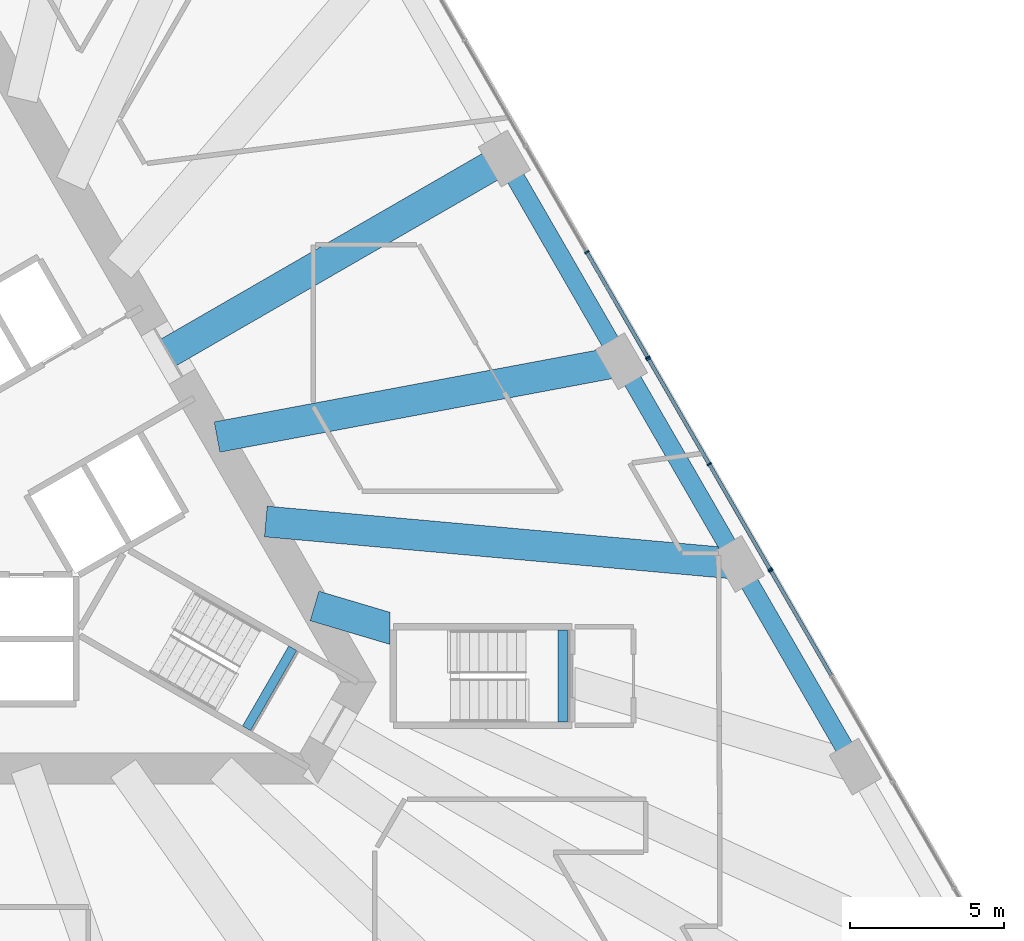
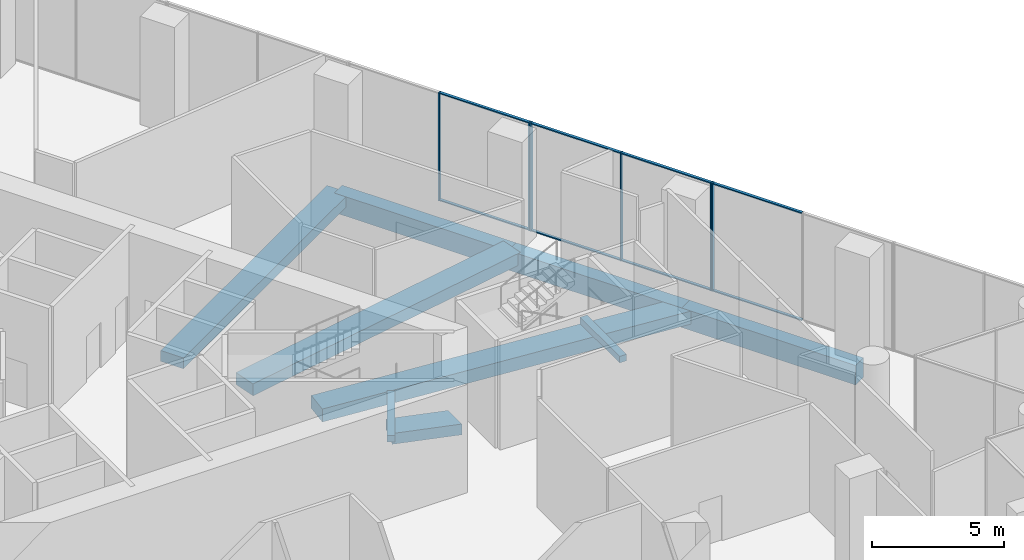
# One storey, part 12 of 29: 14 members, 9 beams, 3 elements without a shape of their own.
"""IFC4 building model written with IfcOpenShell, lengths in metres."""

from ifc_helpers import new_model, si_unit, direction, frame, origin, origin_2d, place, context, subcontext, project, spatial, rectangle, extrude, clip, halfspace, material, layer, layer_set, material_profile, profile_set, type_object, element, aggregate, save


model = new_model("IFC4")

# Units and contexts
model_context = context("Model", 3, precision=1e-05, world=origin(), true_north=direction((0.0, 1.0)))
body_context = subcontext(model_context, "Body", "Model", "MODEL_VIEW")
ifc_project = project(units=[si_unit("LENGTHUNIT", "METRE"), si_unit("AREAUNIT", "SQUARE_METRE"), si_unit("VOLUMEUNIT", "CUBIC_METRE"), si_unit("PLANEANGLEUNIT", "RADIAN"), si_unit("MASSUNIT", "GRAM", prefix="KILO")], contexts=[model_context])

# Site, building, storey
site_placement = place(None, origin())
site = spatial("IfcSite", under=ifc_project, at=site_placement, CompositionType="ELEMENT")
building_placement = place(site_placement, origin())
building = spatial("IfcBuilding", under=site, at=building_placement, Name="Triada Interchange Tower", CompositionType="ELEMENT")
storey_placement = place(building_placement, frame((0.0, 0.0, 19.89990234375)))
storey = spatial("IfcBuildingStorey", under=building, at=storey_placement, Name="L03", CompositionType="ELEMENT", Elevation=19.89990234375)

# Beams
ifc_material_1 = material(Name="Concrete C35/45", Category="concrete")
ifc_material_profile_1 = material_profile(ifc_material_1, rectangle(XDim=0.300048828125, YDim=0.300048828125, at=origin_2d()), Name="RC 300x300")
ifc_profile_set_1 = profile_set([ifc_material_profile_1], Name="Concrete C35/45")
beam_type_1 = type_object("IfcBeamType", Name="Landing support beam RC 300x300", PredefinedType="BEAM", material=ifc_profile_set_1)
beam_1_placement = place(storey_placement, frame((10.3349609375, -7.698974609375, 2.191162109375), z_axis=(0.50002537861, 0.866010750942, 0.0), x_axis=(-0.866010750942, 0.50002537861, 0.0)))
element("IfcBeam", 1, at=beam_1_placement, inside=storey, type_object=beam_type_1, Name="Landing support beam S03-3 1", PredefinedType="BEAM", context=body_context, shape_type="SweptSolid", body=[
    extrude(rectangle(XDim=0.300048828125, YDim=0.300048828125, at=origin_2d()), origin(), (0.0, 0.0, 1.0), 2.999755859375),
])
beam_2_placement = place(storey_placement, frame((20.60009765625, -7.5, 2.191162109375), z_axis=(0.0, 1.0, 0.0), x_axis=(-1.0, 0.0, 0.0)))
element("IfcBeam", 2, at=beam_2_placement, inside=storey, type_object=beam_type_1, Name="Landing support beam S03-7 1", PredefinedType="BEAM", context=body_context, shape_type="SweptSolid", body=[
    extrude(rectangle(XDim=0.300048828125, YDim=0.300048828125, at=origin_2d()), origin(), (0.0, 0.0, 1.0), 3.0),
])

# Curtain wall, member
ifc_material_2 = material(Name="Aluminium framed glazing", Category="aluminium")
ifc_layer = layer(ifc_material_2, 0.199951171875)
ifc_layer_set = layer_set([ifc_layer], Name="Curtain wall Retail shopfront")
curtain_wall_type = type_object("IfcCurtainWallType", Name="Curtain wall Retail shopfront", PredefinedType="NOTDEFINED", material=ifc_layer_set)
curtain_wall_1_placement = place(storey_placement, origin())
curtain_wall_1 = element("IfcCurtainWall", 3, at=curtain_wall_1_placement, inside=storey, type_object=curtain_wall_type, Name="Retail shopfront CW014 L03", PredefinedType="NOTDEFINED")
ifc_material_3 = material(Name="Aluminium", Category="aluminium")
ifc_material_profile_2 = material_profile(ifc_material_3, rectangle(XDim=0.14990234375, YDim=0.050048828125, at=origin_2d()), Name="Aluminium mullion")
ifc_profile_set_2 = profile_set([ifc_material_profile_2], Name="Aluminium")
member_type_1 = type_object("IfcMemberType", Name="Mullion Retail shopfront 150x50", PredefinedType="MULLION", material=ifc_profile_set_2)
member_1_placement = place(storey_placement, frame((27.360595703125, -2.588623046875, 0.0), z_axis=(0.0, 0.0, 1.0), x_axis=(-0.866055473648, -0.499947913852, 0.0)))
member_1 = element("IfcMember", 4, at=member_1_placement, type_object=member_type_1, Name="CW014 mullion 3", PredefinedType="MULLION", context=body_context, shape_type="SweptSolid", body=[
    extrude(rectangle(XDim=0.14990234375, YDim=0.050048828125, at=origin_2d()), origin(), (0.0, 0.0, 1.0), 5.0),
])

# Curtain wall, members
curtain_wall_2_placement = place(storey_placement, origin())
curtain_wall_2 = element("IfcCurtainWall", 5, at=curtain_wall_2_placement, inside=storey, type_object=curtain_wall_type, Name="Retail shopfront CW015 L03", PredefinedType="NOTDEFINED")
member_2_placement = place(storey_placement, frame((27.32958984375, -2.536376953125, 0.0), z_axis=(0.0, 0.0, 1.0), x_axis=(-0.866055473648, -0.499947913852, 0.0)))
member_2 = element("IfcMember", 6, at=member_2_placement, type_object=member_type_1, Name="CW015 mullion 1", PredefinedType="MULLION", context=body_context, shape_type="SweptSolid", body=[
    extrude(rectangle(XDim=0.14990234375, YDim=0.050048828125, at=origin_2d()), origin(), (0.0, 0.0, 1.0), 5.0),
])
member_3_placement = place(storey_placement, frame((25.3583984375, 0.8779296875, 0.0), z_axis=(0.0, 0.0, 1.0), x_axis=(-0.866055473648, -0.499947913852, 0.0)))
member_3 = element("IfcMember", 7, at=member_3_placement, type_object=member_type_1, Name="CW015 mullion 2", PredefinedType="MULLION", context=body_context, shape_type="SweptSolid", body=[
    extrude(rectangle(XDim=0.14990234375, YDim=0.050048828125, at=origin_2d()), origin(), (0.0, 0.0, 1.0), 5.0),
])
member_4_placement = place(storey_placement, frame((23.387451171875, 4.292236328125, 0.0), z_axis=(0.0, 0.0, 1.0), x_axis=(-0.866055473648, -0.499947913852, 0.0)))
member_4 = element("IfcMember", 8, at=member_4_placement, type_object=member_type_1, Name="CW015 mullion 3", PredefinedType="MULLION", context=body_context, shape_type="SweptSolid", body=[
    extrude(rectangle(XDim=0.14990234375, YDim=0.050048828125, at=origin_2d()), origin(), (0.0, 0.0, 1.0), 5.0),
])

curtain_wall_3_placement = place(storey_placement, origin())
curtain_wall_3 = element("IfcCurtainWall", 9, at=curtain_wall_3_placement, inside=storey, type_object=curtain_wall_type, Name="Retail shopfront CW016 L03", PredefinedType="NOTDEFINED")
member_5_placement = place(storey_placement, frame((23.3564453125, 4.3447265625, 0.0), z_axis=(0.0, 0.0, 1.0), x_axis=(-0.866086968603, -0.499893351442, 0.0)))
member_5 = element("IfcMember", 10, at=member_5_placement, type_object=member_type_1, Name="CW016 mullion 1", PredefinedType="MULLION", context=body_context, shape_type="SweptSolid", body=[
    extrude(rectangle(XDim=0.14990234375, YDim=0.050048828125, at=origin_2d()), origin(), (0.0, 0.0, 1.0), 5.0),
])
member_6_placement = place(storey_placement, frame((21.385498046875, 7.759521484375, 0.0), z_axis=(0.0, 0.0, 1.0), x_axis=(-0.866086968603, -0.499893351442, 0.0)))
member_6 = element("IfcMember", 11, at=member_6_placement, type_object=member_type_1, Name="CW016 mullion 2", PredefinedType="MULLION", context=body_context, shape_type="SweptSolid", body=[
    extrude(rectangle(XDim=0.14990234375, YDim=0.050048828125, at=origin_2d()), origin(), (0.0, 0.0, 1.0), 5.0),
])

# Beams
ifc_material_4 = material(Name="Concrete C50/60", Category="concrete")
ifc_material_profile_3 = material_profile(ifc_material_4, rectangle(XDim=1.0, YDim=0.5, at=origin_2d()), Name="RC 1000x500")
ifc_profile_set_3 = profile_set([ifc_material_profile_3], Name="Concrete C50/60")
beam_type_2 = type_object("IfcBeamType", Name="Radial band beam P RC 1000x500", PredefinedType="BEAM", material=ifc_profile_set_3)
beam_3_placement = place(storey_placement, frame((16.43798828125, -4.884033203125, -0.64990234375), z_axis=(-0.95858381739, 0.284810577468, 0.0), x_axis=(-0.284810577468, -0.95858381739, 0.0)))
element("IfcBeam", 12, at=beam_3_placement, inside=storey, type_object=beam_type_2, Name="Radial band beam BP22B L03", PredefinedType="BEAM", context=body_context, shape_type="Clipping", body=[
    clip(extrude(rectangle(XDim=1.0, YDim=0.5, at=origin_2d()), origin(), (0.0, 0.0, 1.0), 4.062255859375), halfspace(frame((3.10888671875, -19.25, 0.576416015625), z_axis=(-0.284810577468, 0.0, -0.95858381739), x_axis=(0.0, 1.0, 0.0)), False)),
])
beam_4_placement = place(storey_placement, frame((18.7060546875, 10.800048828125, -0.64990234375), z_axis=(-0.866027481415, -0.499996401421, 0.0), x_axis=(0.499996401421, -0.866027481415, 0.0)))
element("IfcBeam", 13, at=beam_4_placement, inside=storey, type_object=beam_type_2, Name="Radial band beam BP25 L03", PredefinedType="BEAM", context=body_context, shape_type="SweptSolid", body=[
    extrude(rectangle(XDim=1.0, YDim=0.5, at=origin_2d()), origin(), (0.0, 0.0, 1.0), 12.60009765625),
])
ifc_material_profile_4 = material_profile(ifc_material_4, rectangle(XDim=1.0, YDim=0.550048828125, at=origin_2d()), Name="RC 1000x550")
ifc_profile_set_4 = profile_set([ifc_material_profile_4], Name="Concrete C50/60")
beam_type_3 = type_object("IfcBeamType", Name="Radial band beam P RC 1000x550", PredefinedType="BEAM", material=ifc_profile_set_4)
beam_5_placement = place(storey_placement, frame((22.506103515625, 4.218994140625, -0.6748046875), z_axis=(-0.982880256044, -0.184245494596, 0.0), x_axis=(0.184245494596, -0.982880256044, 0.0)))
element("IfcBeam", 14, at=beam_5_placement, inside=storey, type_object=beam_type_3, Name="Radial band beam BP24 L03", PredefinedType="BEAM", context=body_context, shape_type="SweptSolid", body=[
    extrude(rectangle(XDim=1.0, YDim=0.550048828125, at=origin_2d()), origin(), (0.0, 0.0, 1.0), 13.35693359375),
])
ifc_material_profile_5 = material_profile(ifc_material_4, rectangle(XDim=1.0, YDim=0.60009765625, at=origin_2d()), Name="RC 1000x600")
ifc_profile_set_5 = profile_set([ifc_material_profile_5], Name="Concrete C50/60")
beam_type_4 = type_object("IfcBeamType", Name="Radial band beam P RC 1000x600", PredefinedType="BEAM", material=ifc_profile_set_5)
beam_6_placement = place(storey_placement, frame((26.305908203125, -2.363037109375, -0.699951171875), z_axis=(-0.995992484525, 0.089436965342, 0.0), x_axis=(-0.089436965342, -0.995992484525, 0.0)))
element("IfcBeam", 15, at=beam_6_placement, inside=storey, type_object=beam_type_4, Name="Radial band beam BP23 L03", PredefinedType="BEAM", context=body_context, shape_type="SweptSolid", body=[
    extrude(rectangle(XDim=1.0, YDim=0.60009765625, at=origin_2d()), origin(), (0.0, 0.0, 1.0), 15.40673828125),
])
ifc_material_profile_6 = material_profile(ifc_material_4, rectangle(XDim=0.60009765625, YDim=0.89990234375, at=origin_2d()), Name="RC 600x900")
ifc_profile_set_6 = profile_set([ifc_material_profile_6], Name="Concrete C50/60")
beam_type_5 = type_object("IfcBeamType", Name="Spandrel beam P RC 600x900", PredefinedType="BEAM", material=ifc_profile_set_6)
beam_7_placement = place(storey_placement, frame((30.10498046875, -8.944091796875, -0.849853515625), z_axis=(-0.499950508799, 0.866053975657, 0.0), x_axis=(-0.866053975657, -0.499950508799, 0.0)))
element("IfcBeam", 16, at=beam_7_placement, inside=storey, type_object=beam_type_5, Name="Spandrel beam EP22 L03", PredefinedType="BEAM", context=body_context, shape_type="SweptSolid", body=[
    extrude(rectangle(XDim=0.60009765625, YDim=0.89990234375, at=origin_2d()), origin(), (0.0, 0.0, 1.0), 7.598876953125),
])
beam_8_placement = place(storey_placement, frame((26.305908203125, -2.363037109375, -0.849853515625), z_axis=(-0.499967155389, 0.866044365799, 0.0), x_axis=(-0.866044365799, -0.499967155389, 0.0)))
element("IfcBeam", 17, at=beam_8_placement, inside=storey, type_object=beam_type_5, Name="Spandrel beam EP23 L03", PredefinedType="BEAM", context=body_context, shape_type="SweptSolid", body=[
    extrude(rectangle(XDim=0.60009765625, YDim=0.89990234375, at=origin_2d()), origin(), (0.0, 0.0, 1.0), 7.60009765625),
])
beam_9_placement = place(storey_placement, frame((22.506103515625, 4.218994140625, -0.849853515625), z_axis=(-0.500046891162, 0.865998329467, 0.0), x_axis=(-0.865998329467, -0.500046891162, 0.0)))
element("IfcBeam", 18, at=beam_9_placement, inside=storey, type_object=beam_type_5, Name="Spandrel beam EP24 L03", PredefinedType="BEAM", context=body_context, shape_type="SweptSolid", body=[
    extrude(rectangle(XDim=0.60009765625, YDim=0.89990234375, at=origin_2d()), origin(), (0.0, 0.0, 1.0), 7.599365234375),
])

# Member
ifc_material_profile_7 = material_profile(ifc_material_3, rectangle(XDim=0.1201171875, YDim=0.050048828125, at=origin_2d()), Name="Aluminium transom")
ifc_profile_set_7 = profile_set([ifc_material_profile_7], Name="Aluminium")
member_type_2 = type_object("IfcMemberType", Name="Transom Retail shopfront 120x50", PredefinedType="USERDEFINED", material=ifc_profile_set_7)
member_7_placement = place(storey_placement, frame((29.319091796875, -5.9814453125, 0.025146484375), z_axis=(-0.499950487857, 0.866053987747, 0.0), x_axis=(-0.866053987747, -0.499950487857, 0.0)))
member_7 = element("IfcMember", 19, at=member_7_placement, type_object=member_type_2, Name="CW014 transom 2.1", ObjectType="TRANSOM", PredefinedType="USERDEFINED", context=body_context, shape_type="SweptSolid", body=[
    extrude(rectangle(XDim=0.1201171875, YDim=0.050048828125, at=origin_2d()), origin(), (0.0, 0.0, 1.0), 3.892578125),
])

member_8_placement = place(storey_placement, frame((29.319091796875, -5.9814453125, 4.97509765625), z_axis=(-0.499950487857, 0.866053987747, 0.0), x_axis=(-0.866053987747, -0.499950487857, 0.0)))
member_8 = element("IfcMember", 20, at=member_8_placement, type_object=member_type_2, Name="CW014 transom 2.2", ObjectType="TRANSOM", PredefinedType="USERDEFINED", context=body_context, shape_type="SweptSolid", body=[
    extrude(rectangle(XDim=0.1201171875, YDim=0.050048828125, at=origin_2d()), origin(), (0.0, 0.0, 1.0), 3.892578125),
])

aggregate(curtain_wall_1, [member_1, member_7, member_8])

member_9_placement = place(storey_placement, frame((27.31689453125, -2.5146484375, 0.025146484375), z_axis=(-0.499903441657, 0.866081144593, 0.0), x_axis=(-0.866081144593, -0.499903441657, 0.0)))
member_9 = element("IfcMember", 21, at=member_9_placement, type_object=member_type_2, Name="CW015 transom 1.1", ObjectType="TRANSOM", PredefinedType="USERDEFINED", context=body_context, shape_type="SweptSolid", body=[
    extrude(rectangle(XDim=0.1201171875, YDim=0.050048828125, at=origin_2d()), origin(), (0.0, 0.0, 1.0), 3.892333984375),
])

member_10_placement = place(storey_placement, frame((27.31689453125, -2.5146484375, 4.97509765625), z_axis=(-0.499903441657, 0.866081144593, 0.0), x_axis=(-0.866081144593, -0.499903441657, 0.0)))
member_10 = element("IfcMember", 22, at=member_10_placement, type_object=member_type_2, Name="CW015 transom 1.2", ObjectType="TRANSOM", PredefinedType="USERDEFINED", context=body_context, shape_type="SweptSolid", body=[
    extrude(rectangle(XDim=0.1201171875, YDim=0.050048828125, at=origin_2d()), origin(), (0.0, 0.0, 1.0), 3.892333984375),
])

member_11_placement = place(storey_placement, frame((25.345947265625, 0.899658203125, 0.025146484375), z_axis=(-0.499950487857, 0.866053987747, 0.0), x_axis=(-0.866053987747, -0.499950487857, 0.0)))
member_11 = element("IfcMember", 23, at=member_11_placement, type_object=member_type_2, Name="CW015 transom 2.1", ObjectType="TRANSOM", PredefinedType="USERDEFINED", context=body_context, shape_type="SweptSolid", body=[
    extrude(rectangle(XDim=0.1201171875, YDim=0.050048828125, at=origin_2d()), origin(), (0.0, 0.0, 1.0), 3.892578125),
])

member_12_placement = place(storey_placement, frame((25.345947265625, 0.899658203125, 4.97509765625), z_axis=(-0.499950487857, 0.866053987747, 0.0), x_axis=(-0.866053987747, -0.499950487857, 0.0)))
member_12 = element("IfcMember", 24, at=member_12_placement, type_object=member_type_2, Name="CW015 transom 2.2", ObjectType="TRANSOM", PredefinedType="USERDEFINED", context=body_context, shape_type="SweptSolid", body=[
    extrude(rectangle(XDim=0.1201171875, YDim=0.050048828125, at=origin_2d()), origin(), (0.0, 0.0, 1.0), 3.892578125),
])

aggregate(curtain_wall_2, [member_2, member_3, member_4, member_9, member_10, member_11, member_12])

member_13_placement = place(storey_placement, frame((23.343994140625, 4.3662109375, 0.025146484375), z_axis=(-0.499896178229, 0.866085337015, 0.0), x_axis=(-0.866085337015, -0.499896178229, 0.0)))
member_13 = element("IfcMember", 25, at=member_13_placement, type_object=member_type_2, Name="CW016 transom 1.1", ObjectType="TRANSOM", PredefinedType="USERDEFINED", context=body_context, shape_type="SweptSolid", body=[
    extrude(rectangle(XDim=0.1201171875, YDim=0.050048828125, at=origin_2d()), origin(), (0.0, 0.0, 1.0), 3.892822265625),
])

member_14_placement = place(storey_placement, frame((23.343994140625, 4.3662109375, 4.97509765625), z_axis=(-0.499896178229, 0.866085337015, 0.0), x_axis=(-0.866085337015, -0.499896178229, 0.0)))
member_14 = element("IfcMember", 26, at=member_14_placement, type_object=member_type_2, Name="CW016 transom 1.2", ObjectType="TRANSOM", PredefinedType="USERDEFINED", context=body_context, shape_type="SweptSolid", body=[
    extrude(rectangle(XDim=0.1201171875, YDim=0.050048828125, at=origin_2d()), origin(), (0.0, 0.0, 1.0), 3.892822265625),
])

aggregate(curtain_wall_3, [member_5, member_6, member_13, member_14])

save(model, "model.ifc")
